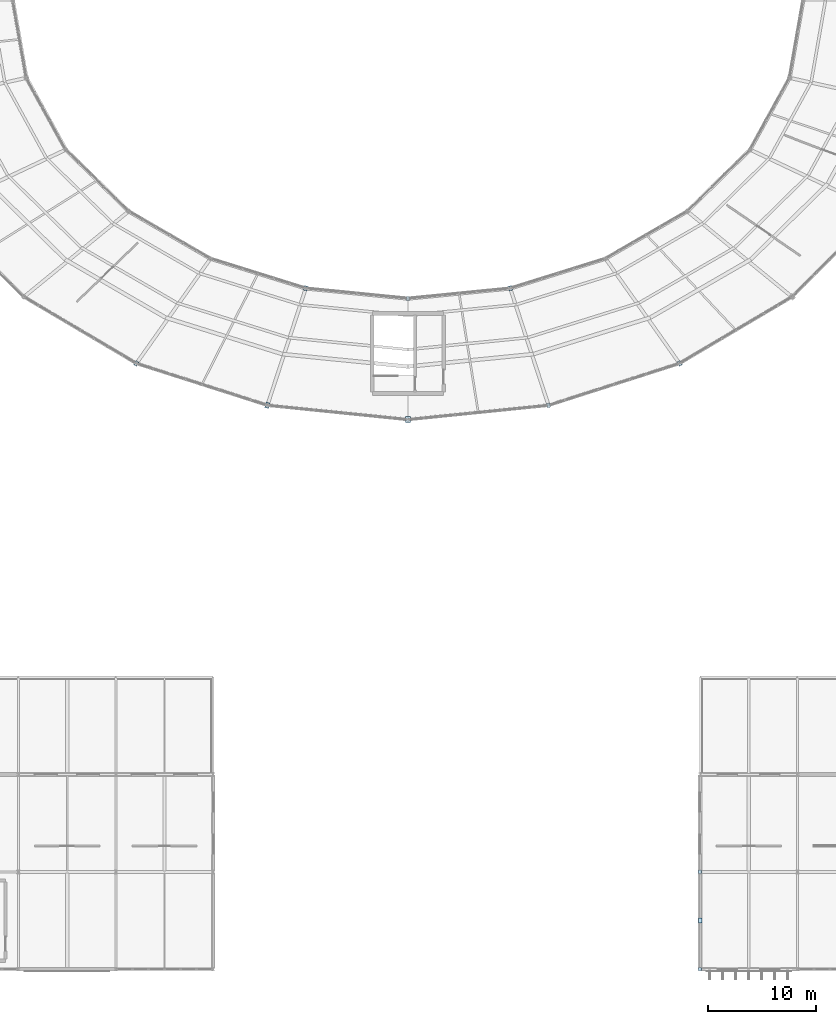
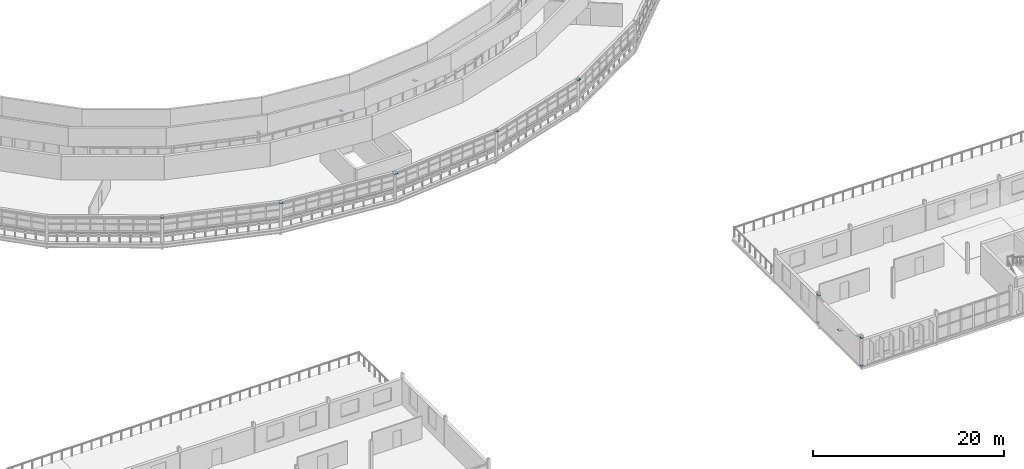
# One storey, part 94 of 123: 13 plates.
"""IFC4 building model written with IfcOpenShell, lengths in metres."""

from ifc_helpers import new_model, si_unit, direction, frame, origin, origin_2d, place, context, subcontext, project, spatial, rectangle, extrude, material, layer, layer_set, type_object, element, save


model = new_model("IFC4")

# Units and contexts
model_context = context("Model", 3, precision=1e-05, world=origin(), true_north=direction((0.0, 1.0)))
body_context = subcontext(model_context, "Body", "Model", "MODEL_VIEW")
ifc_project = project(units=[si_unit("LENGTHUNIT", "METRE"), si_unit("AREAUNIT", "SQUARE_METRE"), si_unit("VOLUMEUNIT", "CUBIC_METRE"), si_unit("PLANEANGLEUNIT", "RADIAN"), si_unit("MASSUNIT", "GRAM", prefix="KILO")], contexts=[model_context])

# Site, building, storey
site_placement = place(None, origin())
site = spatial("IfcSite", under=ifc_project, at=site_placement, CompositionType="ELEMENT")
building_placement = place(site_placement, origin())
building = spatial("IfcBuilding", under=site, at=building_placement, Name="Kildeholm Park Wholesale Market", CompositionType="ELEMENT")
storey_placement = place(building_placement, frame((0.0, 0.0, 9.60009765625)))
storey = spatial("IfcBuildingStorey", under=building, at=storey_placement, Name="L02", CompositionType="ELEMENT", Elevation=9.60009765625)

# Plates
ifc_material = material(Name="Steel S355", Category="steel")
ifc_layer_1 = layer(ifc_material, 0.030029296875)
ifc_layer_set_1 = layer_set([ifc_layer_1], Name="Steel S355")
plate_type_1 = type_object("IfcPlateType", Name="Steel connection plate BP-01 450x320x30", PredefinedType="SHEET", material=ifc_layer_set_1)
for number, where, z_axis, x_axis, name in (
    (1, (73.89990234375, 55.985107421875, 3.205078125), (0.0, 0.0, 1.0), (-0.5, -0.866025403784, 0.0), "Arch springing bearing plate MD-17 PLT-0091"),
    (2, (124.10009765625, 55.985107421875, 3.205078125), (0.0, 0.0, 1.0), (0.5, -0.866025403784, 0.0), "Arch springing bearing plate MD-21 PLT-0112"),
):
    element("IfcPlate", number, at=place(storey_placement, frame(where, z_axis=z_axis, x_axis=x_axis)), inside=storey, type_object=plate_type_1, Name=name, PredefinedType="SHEET", context=body_context, shape_type="SweptSolid", body=[
        extrude(rectangle(XDim=0.449951171875, YDim=0.320068359375, at=origin_2d()), origin(), (0.0, 0.0, 1.0), 0.030029296875),
    ])
ifc_layer_2 = layer(ifc_material, 0.034912109375)
ifc_layer_set_2 = layer_set([ifc_layer_2], Name="Steel S355")
plate_type_2 = type_object("IfcPlateType", Name="Steel connection plate BP-02 520x380x35", PredefinedType="SHEET", material=ifc_layer_set_2)
plate_1_placement = place(storey_placement, frame((86.007080078125, 52.118896484375, 3.20263671875), z_axis=(0.0, 0.0, 1.0), x_axis=(-0.258819045103, -0.965925826289, 0.0)))
element("IfcPlate", 3, at=plate_1_placement, inside=storey, type_object=plate_type_2, Name="Arch springing bearing plate MD-18 PLT-0095", PredefinedType="SHEET", context=body_context, shape_type="SweptSolid", body=[
    extrude(rectangle(XDim=0.52001953125, YDim=0.3798828125, at=origin_2d()), origin(), (0.0, 0.0, 1.0), 0.034912109375),
])
ifc_layer_3 = layer(ifc_material, 0.0380859375)
ifc_layer_set_3 = layer_set([ifc_layer_3], Name="Steel S355")
plate_type_3 = type_object("IfcPlateType", Name="Steel connection plate BP-03 580x440x38", PredefinedType="SHEET", material=ifc_layer_set_3)
plate_2_placement = place(storey_placement, frame((99.0, 50.800048828125, 3.200927734375), z_axis=(0.0, 0.0, 1.0), x_axis=(0.0, -1.0, 0.0)))
element("IfcPlate", 4, at=plate_2_placement, inside=storey, type_object=plate_type_3, Name="Arch springing bearing plate MD-19 PLT-0099", PredefinedType="SHEET", context=body_context, shape_type="SweptSolid", body=[
    extrude(rectangle(XDim=0.580078125, YDim=0.43994140625, at=origin_2d()), origin(), (0.0, 0.0, 1.0), 0.0380859375),
])
ifc_layer_4 = layer(ifc_material, 0.02490234375)
ifc_layer_set_4 = layer_set([ifc_layer_4], Name="Steel S355")
plate_type_4 = type_object("IfcPlateType", Name="Steel connection plate BP-04 400x280x25", PredefinedType="SHEET", material=ifc_layer_set_4)
plate_3_placement = place(storey_placement, frame((111.992919921875, 52.118896484375, 3.20751953125), z_axis=(0.0, 0.0, 1.0), x_axis=(0.258819045103, -0.965925826289, 0.0)))
element("IfcPlate", 5, at=plate_3_placement, inside=storey, type_object=plate_type_4, Name="Arch springing bearing plate MD-20 PLT-0103", PredefinedType="SHEET", context=body_context, shape_type="SweptSolid", body=[
    extrude(rectangle(XDim=0.39990234375, YDim=0.280029296875, at=origin_2d()), origin(), (0.0, 0.0, 1.0), 0.02490234375),
])
ifc_layer_5 = layer(ifc_material, 0.02001953125)
ifc_layer_set_5 = layer_set([ifc_layer_5], Name="Steel S355")
plate_type_5 = type_object("IfcPlateType", Name="Steel connection plate EP-01 360x260x20", PredefinedType="SHEET", material=ifc_layer_set_5)
for number, where, z_axis, x_axis, name in (
    (6, (99.0, 62.0, 4.349853515625), (0.0, 0.0, 1.0), (0.0, -1.0, 0.0), "Arch springing end plate IN-19 PLT-0100"),
    (7, (126.0, 0.0, 0.010009765625), (0.0, 0.0, 1.0), (0.0, 1.0, 0.0), "Brace end connection plate BR-V5E-L02-1 PLT-0168"),
    (8, (126.0, 9.0, 3.56982421875), (0.0, 0.0, 1.0), (0.0, 1.0, 0.0), "Brace end connection plate BR-V5E-L02-2 PLT-0169"),
    (9, (126.0, 9.0, 0.010009765625), (0.0, 0.0, 1.0), (0.0, 1.0, 0.0), "Brace end connection plate BR-V5E-L02-3 PLT-0170"),
    (10, (126.0, 0.0, 3.56982421875), (0.0, 0.0, 1.0), (0.0, 1.0, 0.0), "Brace end connection plate BR-V5E-L02-4 PLT-0171"),
):
    element("IfcPlate", number, at=place(storey_placement, frame(where, z_axis=z_axis, x_axis=x_axis)), inside=storey, type_object=plate_type_5, Name=name, PredefinedType="SHEET", context=body_context, shape_type="SweptSolid", body=[
        extrude(rectangle(XDim=0.360107421875, YDim=0.260009765625, at=origin_2d()), origin(), (0.0, 0.0, 1.0), 0.02001953125),
    ])
ifc_layer_6 = layer(ifc_material, 0.02197265625)
ifc_layer_set_6 = layer_set([ifc_layer_6], Name="Steel S355")
plate_type_6 = type_object("IfcPlateType", Name="Steel connection plate EP-02 440x320x22", PredefinedType="SHEET", material=ifc_layer_set_6)
for number, where, z_axis, x_axis, name in (
    (11, (89.552978515625, 62.93701171875, 4.348876953125), (0.0, 0.0, 1.0), (-0.258819045103, -0.965925826289, 0.0), "Arch springing end plate IN-18 PLT-0096"),
    (12, (108.447021484375, 62.93701171875, 4.348876953125), (0.0, 0.0, 1.0), (0.258819045103, -0.965925826289, 0.0), "Arch springing end plate IN-20 PLT-0104"),
):
    element("IfcPlate", number, at=place(storey_placement, frame(where, z_axis=z_axis, x_axis=x_axis)), inside=storey, type_object=plate_type_6, Name=name, PredefinedType="SHEET", context=body_context, shape_type="SweptSolid", body=[
        extrude(rectangle(XDim=0.43994140625, YDim=0.320068359375, at=origin_2d()), origin(), (0.0, 0.0, 1.0), 0.02197265625),
    ])
ifc_layer_7 = layer(ifc_material, 0.02587890625)
ifc_layer_set_7 = layer_set([ifc_layer_7], Name="Steel S355")
plate_type_7 = type_object("IfcPlateType", Name="Steel connection plate GP-02 480x340x26", PredefinedType="SHEET", material=ifc_layer_set_7)
plate_4_placement = place(storey_placement, frame((126.0, 4.5, 1.786865234375), z_axis=(0.0, 0.0, 1.0), x_axis=(0.0, 1.0, 0.0)))
element("IfcPlate", 13, at=plate_4_placement, inside=storey, type_object=plate_type_7, Name="X-brace crossing gusset plate BR-V5E-L02 PLT-0167", PredefinedType="SHEET", context=body_context, shape_type="SweptSolid", body=[
    extrude(rectangle(XDim=0.47998046875, YDim=0.340087890625, at=origin_2d()), origin(), (0.0, 0.0, 1.0), 0.02587890625),
])

save(model, "model.ifc")
